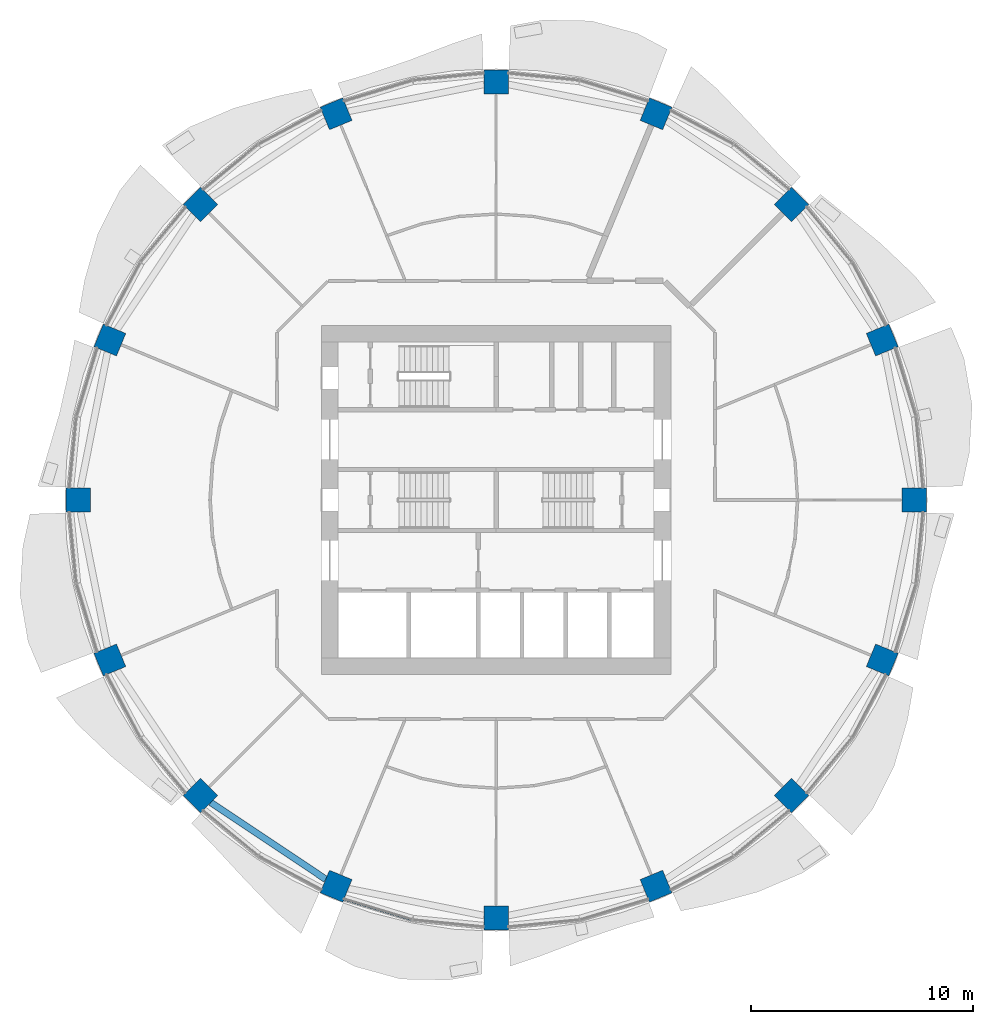
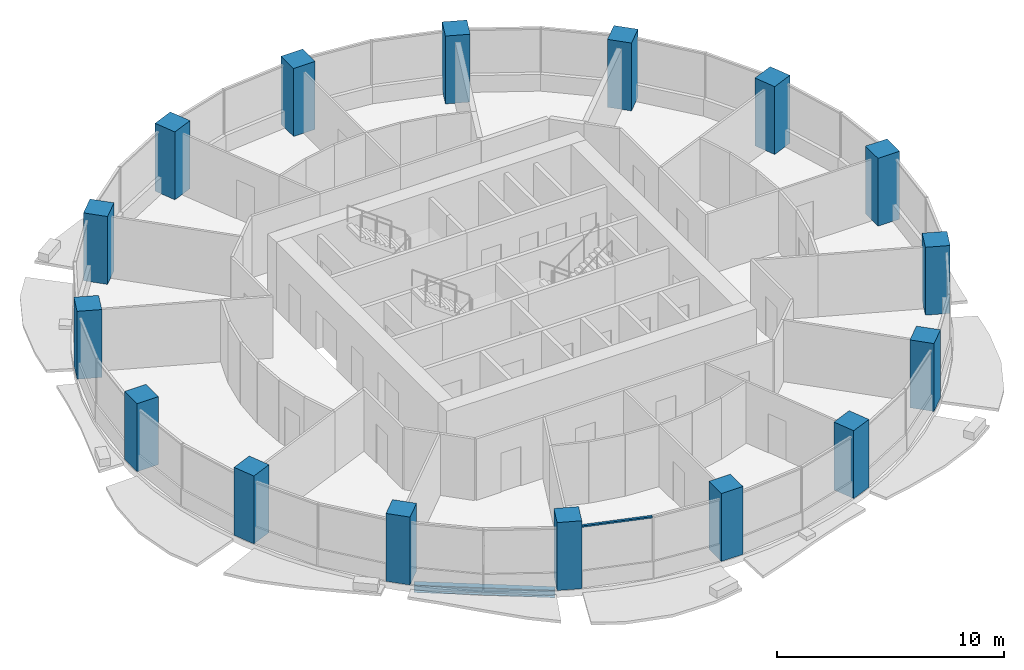
# One storey, part 1 of 15: 16 columns, 1 beam, 1 member, 1 element without a shape of its own.
"""IFC4 building model written with IfcOpenShell, lengths in metres."""

from ifc_helpers import new_model, si_unit, direction, frame, origin, origin_2d, place, context, subcontext, project, spatial, rectangle, i_section, extrude, material, material_profile, profile_set, type_object, element, aggregate, save


model = new_model("IFC4")

# Units and contexts
model_context = context("Model", 3, precision=1e-05, world=origin(), true_north=direction((0.0, 1.0)))
body_context = subcontext(model_context, "Body", "Model", "MODEL_VIEW")
ifc_project = project(units=[si_unit("LENGTHUNIT", "METRE"), si_unit("AREAUNIT", "SQUARE_METRE"), si_unit("VOLUMEUNIT", "CUBIC_METRE"), si_unit("PLANEANGLEUNIT", "RADIAN"), si_unit("MASSUNIT", "GRAM", prefix="KILO")], contexts=[model_context])

# Site, building, storey
site_placement = place(None, origin())
site = spatial("IfcSite", under=ifc_project, at=site_placement, CompositionType="ELEMENT")
building_placement = place(site_placement, origin())
building = spatial("IfcBuilding", under=site, at=building_placement, Name="Polderwave Tower", CompositionType="ELEMENT")
storey_placement = place(building_placement, frame((0.0, 0.0, 76.39990234375)))
storey = spatial("IfcBuildingStorey", under=building, at=storey_placement, Name="L19", CompositionType="ELEMENT", Elevation=76.39990234375)

# Columns
ifc_material_1 = material(Name="Concrete C70/85", Category="concrete")
ifc_material_profile_1 = material_profile(ifc_material_1, rectangle(XDim=1.10009765625, YDim=1.10009765625, at=origin_2d()), Name="RC 1100x1100")
ifc_profile_set_1 = profile_set([ifc_material_profile_1], Name="Concrete C70/85")
column_type = type_object("IfcColumnType", Name="RC COLUMN 1100x1100 C70/85", PredefinedType="COLUMN", material=ifc_profile_set_1)
for number, where, z_axis, x_axis, name in (
    (1, (18.840087890625, 0.0, 0.0), (0.0, 0.0, 1.0), (1.0, 0.0, 0.0), "Ring column 01"),
    (2, (17.406005859375, 7.209716796875, 0.0), (0.0, 0.0, 1.0), (0.923879532511, 0.382683432365, 0.0), "Ring column 02"),
    (3, (13.32177734375, 13.32177734375, 0.0), (0.0, 0.0, 1.0), (0.707106781187, 0.707106781187, 0.0), "Ring column 03"),
    (4, (7.209716796875, 17.406005859375, 0.0), (0.0, 0.0, 1.0), (0.382683432365, 0.923879532511, 0.0), "Ring column 04"),
    (5, (0.0, 18.840087890625, 0.0), (0.0, 0.0, 1.0), (0.0, 1.0, 0.0), "Ring column 05"),
    (6, (-7.209716796875, 17.406005859375, 0.0), (0.0, 0.0, 1.0), (-0.382683432365, 0.923879532511, 0.0), "Ring column 06"),
    (7, (-13.32177734375, 13.32177734375, 0.0), (0.0, 0.0, 1.0), (-0.707106781187, 0.707106781187, 0.0), "Ring column 07"),
    (8, (-17.406005859375, 7.209716796875, 0.0), (0.0, 0.0, 1.0), (-0.923879532511, 0.382683432365, 0.0), "Ring column 08"),
    (9, (-18.840087890625, 0.0, 0.0), (0.0, 0.0, 1.0), (-1.0, 0.0, 0.0), "Ring column 09"),
    (10, (-17.406005859375, -7.209716796875, 0.0), (0.0, 0.0, 1.0), (-0.923879532511, -0.382683432365, 0.0), "Ring column 10"),
    (11, (-13.32177734375, -13.32177734375, 0.0), (0.0, 0.0, 1.0), (-0.707106781187, -0.707106781187, 0.0), "Ring column 11"),
    (12, (-7.209716796875, -17.406005859375, 0.0), (0.0, 0.0, 1.0), (-0.382683432365, -0.923879532511, 0.0), "Ring column 12"),
    (13, (0.0, -18.840087890625, 0.0), (0.0, 0.0, 1.0), (0.0, -1.0, 0.0), "Ring column 13"),
    (14, (7.209716796875, -17.406005859375, 0.0), (0.0, 0.0, 1.0), (0.382683432365, -0.923879532511, 0.0), "Ring column 14"),
    (15, (13.32177734375, -13.32177734375, 0.0), (0.0, 0.0, 1.0), (0.707106781187, -0.707106781187, 0.0), "Ring column 15"),
    (16, (17.406005859375, -7.209716796875, 0.0), (0.0, 0.0, 1.0), (0.923879532511, -0.382683432365, 0.0), "Ring column 16"),
):
    element("IfcColumn", number, at=place(storey_placement, frame(where, z_axis=z_axis, x_axis=x_axis)), inside=storey, type_object=column_type, Name=name, PredefinedType="COLUMN", context=body_context, shape_type="SweptSolid", body=[
        extrude(rectangle(XDim=1.10009765625, YDim=1.10009765625, at=origin_2d()), origin(), (0.0, 0.0, 1.0), 3.650146484375),
    ])

# Curtain wall, member
ifc_material_2 = material(Name="Aluminium 6063-T6 and glass", Category="aluminium")
curtain_wall_type = type_object("IfcCurtainWallType", Name="Growing floor ribbon glazing wall", PredefinedType="NOTDEFINED", material=ifc_material_2)
curtain_wall_placement = place(storey_placement, origin())
curtain_wall = element("IfcCurtainWall", 17, at=curtain_wall_placement, inside=storey, type_object=curtain_wall_type, Name="CW2 L19 11", PredefinedType="NOTDEFINED")
ifc_material_3 = material(Name="Aluminium 6063-T6", Category="aluminium")
ifc_material_profile_2 = material_profile(ifc_material_3, rectangle(XDim=0.1201171875, YDim=0.080078125, at=origin_2d()), Name="AL 80x120")
ifc_profile_set_2 = profile_set([ifc_material_profile_2], Name="Aluminium 6063-T6")
member_type = type_object("IfcMemberType", Name="Growing floor ribbon glazing transom 80x120", PredefinedType="USERDEFINED", material=ifc_profile_set_2)
member_placement = place(storey_placement, frame((-6.85302734375, -17.98193359375, 3.260009765625), z_axis=(0.956954412848, -0.290238267171, 0.0), x_axis=(0.290238267171, 0.956954412848, 0.0)))
member = element("IfcMember", 18, at=member_placement, type_object=member_type, Name="CW2 transom 1", ObjectType="TRANSOM", PredefinedType="USERDEFINED", context=body_context, shape_type="SweptSolid", body=[
    extrude(rectangle(XDim=0.1201171875, YDim=0.080078125, at=origin_2d()), origin(), (0.0, 0.0, 1.0), 3.198974609375),
])
aggregate(curtain_wall, [member])

# Beam
ifc_material_4 = material(Name="Steel S355", Category="steel")
ifc_material_profile_3 = material_profile(ifc_material_4, i_section(OverallWidth=0.300048828125, OverallDepth=0.39990234375, WebThickness=0.013427734375, FlangeThickness=0.02392578125, at=origin_2d()), Name="HE 400 B")
ifc_profile_set_3 = profile_set([ifc_material_profile_3], Name="Steel S355")
beam_type = type_object("IfcBeamType", Name="RING BEAM HE 400 B", PredefinedType="BEAM", material=ifc_profile_set_3)
beam_placement = place(storey_placement, frame((-12.855712890625, -13.633544921875, -0.5498046875), z_axis=(0.831489127752, -0.555541024975, 0.0), x_axis=(0.555541024975, 0.831489127752, 0.0)))
element("IfcBeam", 19, at=beam_placement, inside=storey, type_object=beam_type, Name="ST-RB-L19-10", PredefinedType="BEAM", context=body_context, shape_type="SweptSolid", body=[
    extrude(i_section(OverallWidth=0.300048828125, OverallDepth=0.39990234375, WebThickness=0.013427734375, FlangeThickness=0.02392578125, at=origin_2d()), origin(), (0.0, 0.0, 1.0), 6.2294921875),
])

save(model, "model.ifc")
